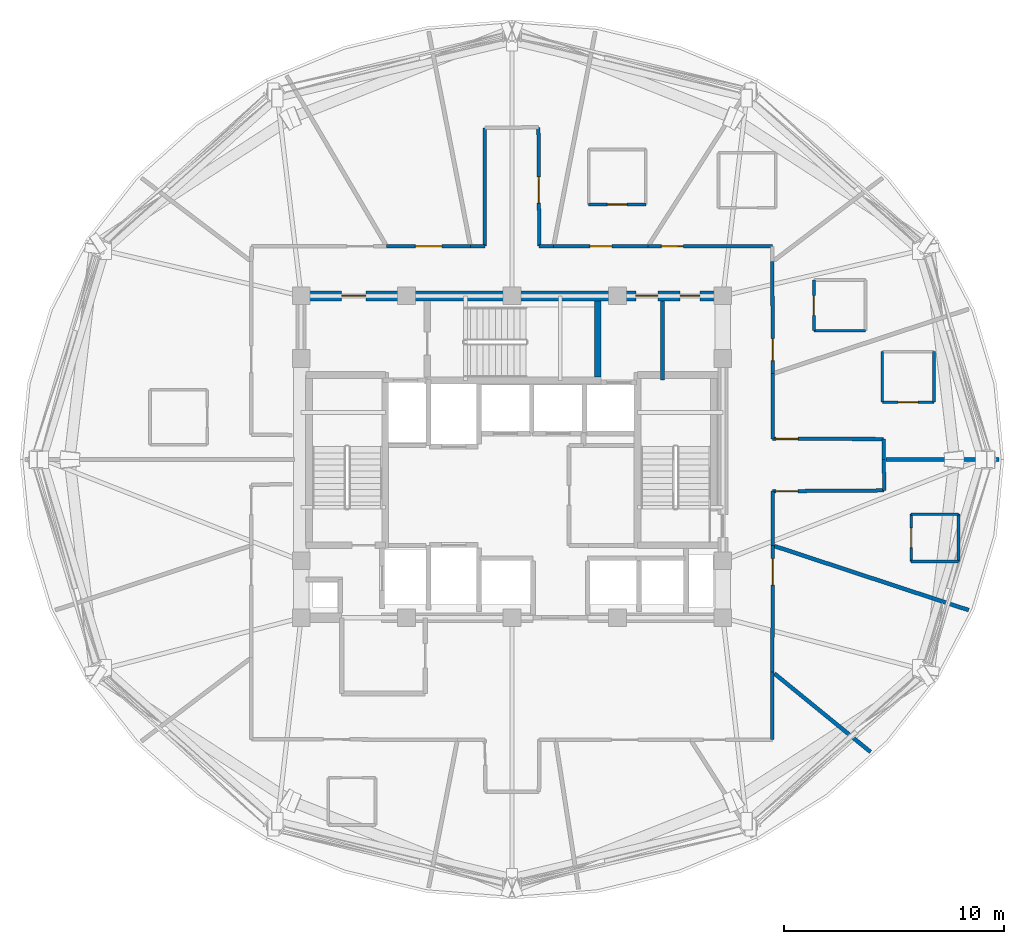
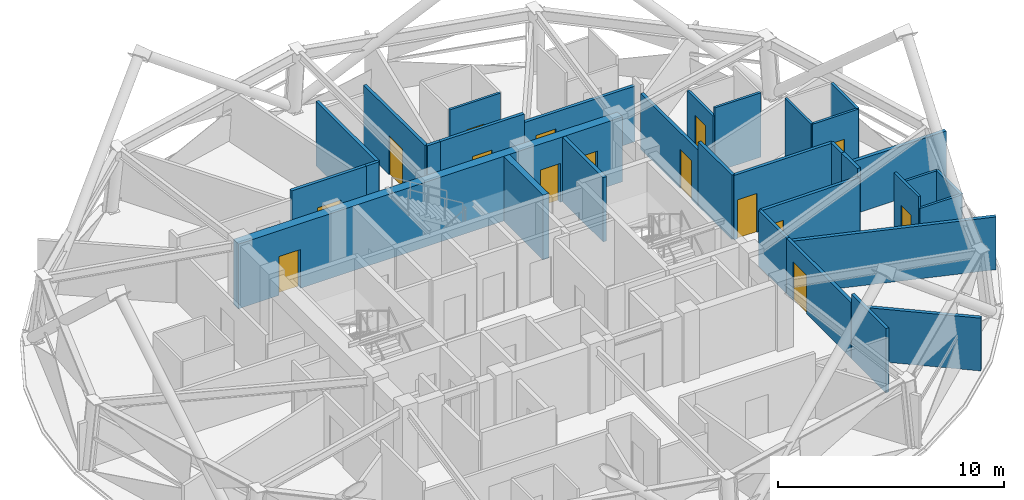
# One storey, part 7 of 12: 32 walls, 15 doors, 15 openings.
"""IFC4 building model written with IfcOpenShell, lengths in metres."""

from ifc_helpers import new_model, si_unit, direction, frame, frame_2d, origin, place, context, subcontext, project, spatial, rectangle, extrude, material, layer, layer_set, type_object, element, fill, save


model = new_model("IFC4")

# Units and contexts
model_context = context("Model", 3, precision=1e-05, world=origin(), true_north=direction((0.0, 1.0)))
body_context = subcontext(model_context, "Body", "Model", "MODEL_VIEW")
ifc_project = project(units=[si_unit("LENGTHUNIT", "METRE"), si_unit("AREAUNIT", "SQUARE_METRE"), si_unit("VOLUMEUNIT", "CUBIC_METRE"), si_unit("PLANEANGLEUNIT", "RADIAN"), si_unit("MASSUNIT", "GRAM", prefix="KILO")], contexts=[model_context])

# Site, building, storey
site_placement = place(None, origin())
site = spatial("IfcSite", under=ifc_project, at=site_placement, CompositionType="ELEMENT")
building_placement = place(site_placement, origin())
building = spatial("IfcBuilding", under=site, at=building_placement, Name="Vantalir Tower", CompositionType="ELEMENT")
storey_placement = place(building_placement, frame((0.0, 0.0, 249.89990234375)))
storey = spatial("IfcBuildingStorey", under=building, at=storey_placement, Name="L63", CompositionType="ELEMENT", Elevation=249.89990234375)

# Wall
ifc_material_1 = material(Name="Moisture-resistant en-suite partition", Category="gypsum")
ifc_layer_1 = layer(ifc_material_1, 0.125)
ifc_layer_set_1 = layer_set([ifc_layer_1], Name="Moisture-resistant en-suite partition")
wall_type_1 = type_object("IfcWallType", Name="WL-BATH-125", PredefinedType="PARTITIONING", material=ifc_layer_set_1)
wall_1_placement = place(storey_placement, frame((45.241943359375, 30.868896484375, 0.0), z_axis=(0.0, 0.0, 1.0), x_axis=(1.0, 0.0, 0.0)))
element("IfcWall", 1, at=wall_1_placement, inside=storey, type_object=wall_type_1, Name="L63 En-suite 01 South Wall", PredefinedType="PARTITIONING", context=body_context, shape_type="SweptSolid", body=[
    extrude(rectangle(XDim=2.35009765625, YDim=0.125, at=frame_2d((1.175048828125, 0.0))), origin(), (0.0, 0.0, 1.0), 3.47998046875),
])

# Wall, opening, door
wall_2_placement = place(storey_placement, frame((45.241943359375, 30.868896484375, 0.0), z_axis=(0.0, 0.0, 1.0), x_axis=(0.0, 1.0, 0.0)))
wall_2 = element("IfcWall", 2, at=wall_2_placement, inside=storey, type_object=wall_type_1, Name="L63 En-suite 01 West Wall", PredefinedType="PARTITIONING", context=body_context, shape_type="SweptSolid", body=[
    extrude(rectangle(XDim=2.300048828125, YDim=0.125, at=frame_2d((1.14990234375, 0.0))), origin(), (0.0, 0.0, 1.0), 3.01220703125),
])
opening_1_placement = place(wall_2_placement, frame((0.699951171875, 0.0, 0.0)))
opening_1 = element("IfcOpeningElement", 3, at=opening_1_placement, cuts=wall_2, Name="Opening D-WC", PredefinedType="OPENING", context=body_context, shape_type="SweptSolid", body=[
    extrude(rectangle(XDim=0.89990234375, YDim=2.10009765625, at=frame_2d((0.449951171875, 1.050048828125))), frame((0.0, 0.072509765625, 0.0), z_axis=(0.0, -1.0, 0.0), x_axis=(1.0, 0.0, 0.0)), (0.0, 0.0, 1.0), 0.14501953125),
])
ifc_material_2 = material(Name="Moisture-resistant hardwood door", Category="wood")
door_type_1 = type_object("IfcDoorType", Name="DR-ENSUITE-900", OperationType="NOTDEFINED", PredefinedType="DOOR", material=ifc_material_2)
door_1_placement = place(opening_1_placement, frame((0.89990234375, 0.0, 0.0), z_axis=(0.0, 0.0, 1.0), x_axis=(-1.0, 0.0, 0.0)))
door_1 = element("IfcDoor", 4, at=door_1_placement, inside=storey, type_object=door_type_1, Name="L63 En-suite 01 Door", OperationType="SINGLE_SWING_LEFT", OverallHeight=2.10009765625, OverallWidth=0.89990234375, PredefinedType="DOOR", context=body_context, shape_type="SweptSolid", body=[
    extrude(rectangle(XDim=0.89990234375, YDim=2.10009765625, at=frame_2d((0.449951171875, 1.050048828125))), frame((0.0, 0.02490234375, 0.0), z_axis=(0.0, -1.0, 0.0), x_axis=(1.0, 0.0, 0.0)), (0.0, 0.0, 1.0), 0.050048828125),
])
fill(opening_1, door_1)

wall_3_placement = place(storey_placement, frame((34.989013671875, 36.610107421875, 0.0), z_axis=(0.0, 0.0, 1.0), x_axis=(1.0, 0.0, 0.0)))
wall_3 = element("IfcWall", 5, at=wall_3_placement, inside=storey, type_object=wall_type_1, Name="L63 En-suite 03 South Wall", PredefinedType="PARTITIONING", context=body_context, shape_type="SweptSolid", body=[
    extrude(rectangle(XDim=2.60009765625, YDim=0.125, at=frame_2d((1.300048828125, 0.0))), origin(), (0.0, 0.0, 1.0), 3.47998046875),
])
opening_2_placement = place(wall_3_placement, frame((0.85009765625, 0.0, 0.0)))
opening_2 = element("IfcOpeningElement", 6, at=opening_2_placement, cuts=wall_3, Name="Opening D-WC", PredefinedType="OPENING", context=body_context, shape_type="SweptSolid", body=[
    extrude(rectangle(XDim=0.89990234375, YDim=2.10009765625, at=frame_2d((0.449951171875, 1.050048828125))), frame((0.0, 0.072509765625, 0.0), z_axis=(0.0, -1.0, 0.0), x_axis=(1.0, 0.0, 0.0)), (0.0, 0.0, 1.0), 0.14501953125),
])
door_2_placement = place(opening_2_placement, origin())
door_2 = element("IfcDoor", 7, at=door_2_placement, inside=storey, type_object=door_type_1, Name="L63 En-suite 03 Door", OperationType="SINGLE_SWING_LEFT", OverallHeight=2.10009765625, OverallWidth=0.89990234375, PredefinedType="DOOR", context=body_context, shape_type="SweptSolid", body=[
    extrude(rectangle(XDim=0.89990234375, YDim=2.10009765625, at=frame_2d((0.449951171875, 1.050048828125))), frame((0.0, 0.02490234375, 0.0), z_axis=(0.0, -1.0, 0.0), x_axis=(1.0, 0.0, 0.0)), (0.0, 0.0, 1.0), 0.050048828125),
])
fill(opening_2, door_2)

# Walls
for number, where, z_axis, x_axis, name in (
    (8, (49.669921875, 20.366943359375, 0.0), (0.0, 0.0, 1.0), (1.0, 0.0, 0.0), "L63 En-suite 15 South Wall"),
    (9, (49.669921875, 22.51708984375, 0.0), (0.0, 0.0, 1.0), (1.0, 0.0, 0.0), "L63 En-suite 15 North Wall"),
):
    element("IfcWall", number, at=place(storey_placement, frame(where, z_axis=z_axis, x_axis=x_axis)), inside=storey, type_object=wall_type_1, Name=name, PredefinedType="PARTITIONING", context=body_context, shape_type="SweptSolid", body=[
        extrude(rectangle(XDim=2.150146484375, YDim=0.125, at=frame_2d((1.0751953125, 0.0))), origin(), (0.0, 0.0, 1.0), 2.85498046875),
    ])

# Wall, opening, door
wall_4_placement = place(storey_placement, frame((49.669921875, 20.366943359375, 0.0), z_axis=(0.0, 0.0, 1.0), x_axis=(0.0, 1.0, 0.0)))
wall_4 = element("IfcWall", 10, at=wall_4_placement, inside=storey, type_object=wall_type_1, Name="L63 En-suite 15 West Wall", PredefinedType="PARTITIONING", context=body_context, shape_type="SweptSolid", body=[
    extrude(rectangle(XDim=2.150146484375, YDim=0.125, at=frame_2d((1.0751953125, 0.0))), origin(), (0.0, 0.0, 1.0), 3.47998046875),
])
opening_3_placement = place(wall_4_placement, frame((0.625, 0.0, 0.0)))
opening_3 = element("IfcOpeningElement", 11, at=opening_3_placement, cuts=wall_4, Name="Opening D-WC", PredefinedType="OPENING", context=body_context, shape_type="SweptSolid", body=[
    extrude(rectangle(XDim=0.89990234375, YDim=2.10009765625, at=frame_2d((0.449951171875, 1.050048828125))), frame((0.0, 0.072509765625, 0.0), z_axis=(0.0, -1.0, 0.0), x_axis=(1.0, 0.0, 0.0)), (0.0, 0.0, 1.0), 0.14501953125),
])
door_3_placement = place(opening_3_placement, frame((0.89990234375, 0.0, 0.0), z_axis=(0.0, 0.0, 1.0), x_axis=(-1.0, 0.0, 0.0)))
door_3 = element("IfcDoor", 12, at=door_3_placement, inside=storey, type_object=door_type_1, Name="L63 En-suite 15 Door", OperationType="SINGLE_SWING_LEFT", OverallHeight=2.10009765625, OverallWidth=0.89990234375, PredefinedType="DOOR", context=body_context, shape_type="SweptSolid", body=[
    extrude(rectangle(XDim=0.89990234375, YDim=2.10009765625, at=frame_2d((0.449951171875, 1.050048828125))), frame((0.0, 0.02490234375, 0.0), z_axis=(0.0, -1.0, 0.0), x_axis=(1.0, 0.0, 0.0)), (0.0, 0.0, 1.0), 0.050048828125),
])
fill(opening_3, door_3)

# Wall
wall_5_placement = place(storey_placement, frame((51.820068359375, 20.366943359375, 0.0), z_axis=(0.0, 0.0, 1.0), x_axis=(0.0, 1.0, 0.0)))
element("IfcWall", 13, at=wall_5_placement, inside=storey, type_object=wall_type_1, Name="L63 En-suite 15 East Wall", PredefinedType="PARTITIONING", context=body_context, shape_type="SweptSolid", body=[
    extrude(rectangle(XDim=2.150146484375, YDim=0.125, at=frame_2d((1.0751953125, 0.0))), origin(), (0.0, 0.0, 1.0), 2.85498046875),
])

# Wall, opening, door
wall_6_placement = place(storey_placement, frame((48.35400390625, 27.613037109375, 0.0), z_axis=(0.0, 0.0, 1.0), x_axis=(1.0, 0.0, 0.0)))
wall_6 = element("IfcWall", 14, at=wall_6_placement, inside=storey, type_object=wall_type_1, Name="L63 En-suite 16 South Wall", PredefinedType="PARTITIONING", context=body_context, shape_type="SweptSolid", body=[
    extrude(rectangle(XDim=2.35009765625, YDim=0.125, at=frame_2d((1.175048828125, 0.0))), origin(), (0.0, 0.0, 1.0), 3.47998046875),
])
opening_4_placement = place(wall_6_placement, frame((0.72509765625, 0.0, 0.0)))
opening_4 = element("IfcOpeningElement", 15, at=opening_4_placement, cuts=wall_6, Name="Opening D-WC", PredefinedType="OPENING", context=body_context, shape_type="SweptSolid", body=[
    extrude(rectangle(XDim=0.89990234375, YDim=2.10009765625, at=frame_2d((0.449951171875, 1.050048828125))), frame((0.0, 0.072509765625, 0.0), z_axis=(0.0, -1.0, 0.0), x_axis=(1.0, 0.0, 0.0)), (0.0, 0.0, 1.0), 0.14501953125),
])
door_4_placement = place(opening_4_placement, origin())
door_4 = element("IfcDoor", 16, at=door_4_placement, inside=storey, type_object=door_type_1, Name="L63 En-suite 16 Door", OperationType="SINGLE_SWING_RIGHT", OverallHeight=2.10009765625, OverallWidth=0.89990234375, PredefinedType="DOOR", context=body_context, shape_type="SweptSolid", body=[
    extrude(rectangle(XDim=0.89990234375, YDim=2.10009765625, at=frame_2d((0.449951171875, 1.050048828125))), frame((0.0, 0.02490234375, 0.0), z_axis=(0.0, -1.0, 0.0), x_axis=(1.0, 0.0, 0.0)), (0.0, 0.0, 1.0), 0.050048828125),
])
fill(opening_4, door_4)

# Walls
for number, where, z_axis, x_axis, name in (
    (17, (48.35400390625, 27.613037109375, 0.0), (0.0, 0.0, 1.0), (0.0, 1.0, 0.0), "L63 En-suite 16 West Wall"),
    (18, (50.7041015625, 27.613037109375, 0.0), (0.0, 0.0, 1.0), (0.0, 1.0, 0.0), "L63 En-suite 16 East Wall"),
):
    element("IfcWall", number, at=place(storey_placement, frame(where, z_axis=z_axis, x_axis=x_axis)), inside=storey, type_object=wall_type_1, Name=name, PredefinedType="PARTITIONING", context=body_context, shape_type="SweptSolid", body=[
        extrude(rectangle(XDim=2.300048828125, YDim=0.125, at=frame_2d((1.14990234375, 0.0))), origin(), (0.0, 0.0, 1.0), 3.47998046875),
    ])

# Wall, openings, doors
ifc_material_3 = material(Name="Concrete C50/60", Category="concrete")
ifc_layer_2 = layer(ifc_material_3, 0.449951171875)
ifc_layer_set_2 = layer_set([ifc_layer_2], Name="Concrete C50/60")
wall_type_2 = type_object("IfcWallType", Name="WL-CORE-450", PredefinedType="SHEAR", material=ifc_layer_set_2)
wall_7_placement = place(storey_placement, frame((21.675048828125, 32.449951171875, 0.0), z_axis=(0.0, 0.0, 1.0), x_axis=(1.0, 0.0, 0.0)))
wall_7 = element("IfcWall", 19, at=wall_7_placement, inside=storey, type_object=wall_type_2, Name="L63 Core Shear Wall North", PredefinedType="SHEAR", context=body_context, shape_type="SweptSolid", body=[
    extrude(rectangle(XDim=19.64990234375, YDim=0.449951171875, at=frame_2d((9.824951171875, 0.0))), origin(), (0.0, 0.0, 1.0), 3.5),
])
opening_5_placement = place(wall_7_placement, frame((2.074951171875, 0.0, 0.0)))
opening_5 = element("IfcOpeningElement", 20, at=opening_5_placement, cuts=wall_7, Name="Opening D-FFL", PredefinedType="OPENING", context=body_context, shape_type="SweptSolid", body=[
    extrude(rectangle(XDim=1.10009765625, YDim=2.10009765625, at=frame_2d((0.550048828125, 1.050048828125))), frame((0.0, 0.23486328125, 0.0), z_axis=(0.0, -1.0, 0.0), x_axis=(1.0, 0.0, 0.0)), (0.0, 0.0, 1.0), 0.469970703125),
])
opening_6_placement = place(wall_7_placement, frame((15.465087890625, 0.0, 0.0)))
opening_6 = element("IfcOpeningElement", 21, at=opening_6_placement, cuts=wall_7, Name="Opening D-GUEST", PredefinedType="OPENING", context=body_context, shape_type="SweptSolid", body=[
    extrude(rectangle(XDim=1.0, YDim=2.10009765625, at=frame_2d((0.5, 1.050048828125))), frame((0.0, 0.23486328125, 0.0), z_axis=(0.0, -1.0, 0.0), x_axis=(1.0, 0.0, 0.0)), (0.0, 0.0, 1.0), 0.469970703125),
])
opening_7_placement = place(wall_7_placement, frame((17.47509765625, 0.0, 0.0)))
opening_7 = element("IfcOpeningElement", 22, at=opening_7_placement, cuts=wall_7, Name="Opening D-CR", PredefinedType="OPENING", context=body_context, shape_type="SweptSolid", body=[
    extrude(rectangle(XDim=0.89990234375, YDim=2.10009765625, at=frame_2d((0.449951171875, 1.050048828125))), frame((0.0, 0.23486328125, 0.0), z_axis=(0.0, -1.0, 0.0), x_axis=(1.0, 0.0, 0.0)), (0.0, 0.0, 1.0), 0.469970703125),
])
ifc_material_4 = material(Name="Fire-rated steel core service door", Category="steel")
door_type_2 = type_object("IfcDoorType", Name="DR-CORE-SERV-900", OperationType="NOTDEFINED", PredefinedType="DOOR", material=ifc_material_4)
door_5_placement = place(opening_7_placement, frame((0.89990234375, 0.0, 0.0), z_axis=(0.0, 0.0, 1.0), x_axis=(-1.0, 0.0, 0.0)))
door_5 = element("IfcDoor", 23, at=door_5_placement, inside=storey, type_object=door_type_2, Name="L63 Housekeeping and Linen Room Door", OperationType="SINGLE_SWING_RIGHT", OverallHeight=2.10009765625, OverallWidth=0.89990234375, PredefinedType="DOOR", context=body_context, shape_type="SweptSolid", body=[
    extrude(rectangle(XDim=0.89990234375, YDim=2.10009765625, at=frame_2d((0.449951171875, 1.050048828125))), frame((0.0, 0.02490234375, 0.0), z_axis=(0.0, -1.0, 0.0), x_axis=(1.0, 0.0, 0.0)), (0.0, 0.0, 1.0), 0.050048828125),
])
fill(opening_7, door_5)
ifc_material_5 = material(Name="Fire-rated acoustic steel door", Category="steel")
door_type_3 = type_object("IfcDoorType", Name="DR-FIRE-LOBBY-1100", OperationType="NOTDEFINED", PredefinedType="DOOR", material=ifc_material_5)
door_6_placement = place(opening_5_placement, frame((1.10009765625, 0.0, 0.0), z_axis=(0.0, 0.0, 1.0), x_axis=(-1.0, 0.0, 0.0)))
door_6 = element("IfcDoor", 24, at=door_6_placement, inside=storey, type_object=door_type_3, Name="L63 Firefighting Lobby East Access Door", OperationType="SINGLE_SWING_LEFT", OverallHeight=2.10009765625, OverallWidth=1.10009765625, PredefinedType="DOOR", context=body_context, shape_type="SweptSolid", body=[
    extrude(rectangle(XDim=1.10009765625, YDim=2.10009765625, at=frame_2d((0.550048828125, 1.050048828125))), frame((0.0, 0.02490234375, 0.0), z_axis=(0.0, -1.0, 0.0), x_axis=(1.0, 0.0, 0.0)), (0.0, 0.0, 1.0), 0.050048828125),
])
fill(opening_5, door_6)
ifc_material_6 = material(Name="Solid-core teak veneer acoustic fire door", Category="wood")
door_type_4 = type_object("IfcDoorType", Name="DR-GUEST-ENTRY-1000", OperationType="NOTDEFINED", PredefinedType="DOOR", material=ifc_material_6)
door_7_placement = place(opening_6_placement, frame((1.0, 0.0, 0.0), z_axis=(0.0, 0.0, 1.0), x_axis=(-1.0, 0.0, 0.0)))
door_7 = element("IfcDoor", 25, at=door_7_placement, inside=storey, type_object=door_type_4, Name="L63 High-Rise Lift Lobby Door", OperationType="SINGLE_SWING_LEFT", OverallHeight=2.10009765625, OverallWidth=1.0, PredefinedType="DOOR", context=body_context, shape_type="SweptSolid", body=[
    extrude(rectangle(XDim=1.0, YDim=2.10009765625, at=frame_2d((0.5, 1.050048828125))), frame((0.0, 0.02490234375, 0.0), z_axis=(0.0, -1.0, 0.0), x_axis=(1.0, 0.0, 0.0)), (0.0, 0.0, 1.0), 0.050048828125),
])
fill(opening_6, door_7)

# Wall, opening, door
ifc_material_7 = material(Name="Fire-rated hotel corridor acoustic partition", Category="gypsum")
ifc_layer_3 = layer(ifc_material_7, 0.159912109375)
ifc_layer_set_3 = layer_set([ifc_layer_3], Name="Fire-rated hotel corridor acoustic partition")
wall_type_3 = type_object("IfcWallType", Name="WL-CORR-160", PredefinedType="PARTITIONING", material=ifc_layer_set_3)
wall_8_placement = place(storey_placement, frame((25.799072265625, 34.708984375, 0.0), z_axis=(0.0, 0.0, 1.0), x_axis=(0.999999094052, 0.00134606634, 0.0)))
wall_8 = element("IfcWall", 26, at=wall_8_placement, inside=storey, type_object=wall_type_3, Name="L63 Corridor Partition 05", PredefinedType="PARTITIONING", context=body_context, shape_type="SweptSolid", body=[
    extrude(rectangle(XDim=3.808837890625, YDim=0.159912109375, at=frame_2d((1.904296875, 0.0))), origin(), (0.0, 0.0, 1.0), 3.47998046875),
])
opening_8_placement = place(wall_8_placement, frame((1.304931640625, 0.0, 0.0)))
opening_8 = element("IfcOpeningElement", 27, at=opening_8_placement, cuts=wall_8, Name="Opening D-STE", PredefinedType="OPENING", context=body_context, shape_type="SweptSolid", body=[
    extrude(rectangle(XDim=1.199951171875, YDim=2.10009765625, at=frame_2d((0.60009765625, 1.050048828125))), frame((0.0, 0.08984375, 0.0), z_axis=(0.0, -1.0, 0.0), x_axis=(1.0, 0.0, 0.0)), (0.0, 0.0, 1.0), 0.179931640625),
])
ifc_material_8 = material(Name="Solid-core teak veneer suite entrance door", Category="wood")
door_type_5 = type_object("IfcDoorType", Name="DR-SUITE-ENTRY-1200", OperationType="NOTDEFINED", PredefinedType="DOOR", material=ifc_material_8)
door_8_placement = place(opening_8_placement, origin())
door_8 = element("IfcDoor", 28, at=door_8_placement, inside=storey, type_object=door_type_5, Name="L63 Club Reading Lounge 05 Door", OperationType="SINGLE_SWING_LEFT", OverallHeight=2.10009765625, OverallWidth=1.199951171875, PredefinedType="DOOR", context=body_context, shape_type="SweptSolid", body=[
    extrude(rectangle(XDim=1.199951171875, YDim=2.10009765625, at=frame_2d((0.60009765625, 1.050048828125))), frame((0.0, 0.02490234375, 0.0), z_axis=(0.0, -1.0, 0.0), x_axis=(1.0, 0.0, 0.0)), (0.0, 0.0, 1.0), 0.050048828125),
])
fill(opening_8, door_8)

# Walls
wall_9_placement = place(storey_placement, frame((29.60791015625, 34.714111328125, 0.0), z_axis=(0.0, 0.0, 1.0), x_axis=(0.999998878649, 0.001497564775, 0.0)))
element("IfcWall", 29, at=wall_9_placement, inside=storey, type_object=wall_type_3, Name="L63 Corridor Partition 06", PredefinedType="PARTITIONING", context=body_context, shape_type="SweptSolid", body=[
    extrude(rectangle(XDim=0.652099609375, YDim=0.159912109375, at=frame_2d((0.326171875, 0.0))), origin(), (0.0, 0.0, 1.0), 3.47998046875),
])
wall_10_placement = place(storey_placement, frame((30.260009765625, 34.715087890625, 0.0), z_axis=(0.0, 0.0, 1.0), x_axis=(0.000544266973, 0.999999851887, 0.0)))
element("IfcWall", 30, at=wall_10_placement, inside=storey, type_object=wall_type_3, Name="L63 Corridor Partition 07", PredefinedType="PARTITIONING", context=body_context, shape_type="SweptSolid", body=[
    extrude(rectangle(XDim=5.3828125, YDim=0.159912109375, at=frame_2d((2.69140625, 0.0))), origin(), (0.0, 0.0, 1.0), 3.47998046875),
])

# Wall, opening, door
wall_11_placement = place(storey_placement, frame((32.7041015625, 40.123046875, 0.0), z_axis=(0.0, 0.0, 1.0), x_axis=(0.006636123117, -0.999977980693, 0.0)))
wall_11 = element("IfcWall", 31, at=wall_11_placement, inside=storey, type_object=wall_type_3, Name="L63 Corridor Partition 09", PredefinedType="PARTITIONING", context=body_context, shape_type="SweptSolid", body=[
    extrude(rectangle(XDim=5.407958984375, YDim=0.159912109375, at=frame_2d((2.7041015625, 0.0))), origin(), (0.0, 0.0, 1.0), 3.47998046875),
])
opening_9_placement = place(wall_11_placement, frame((2.25390625, 0.0, 0.0)))
opening_9 = element("IfcOpeningElement", 32, at=opening_9_placement, cuts=wall_11, Name="Opening D-STE", PredefinedType="OPENING", context=body_context, shape_type="SweptSolid", body=[
    extrude(rectangle(XDim=1.199951171875, YDim=2.10009765625, at=frame_2d((0.60009765625, 1.050048828125))), frame((0.0, 0.08984375, 0.0), z_axis=(0.0, -1.0, 0.0), x_axis=(1.0, 0.0, 0.0)), (0.0, 0.0, 1.0), 0.179931640625),
])
door_9_placement = place(opening_9_placement, origin())
door_9 = element("IfcDoor", 33, at=door_9_placement, inside=storey, type_object=door_type_5, Name="L63 Club Reading Lounge 04 Door", OperationType="SINGLE_SWING_RIGHT", OverallHeight=2.10009765625, OverallWidth=1.199951171875, PredefinedType="DOOR", context=body_context, shape_type="SweptSolid", body=[
    extrude(rectangle(XDim=1.199951171875, YDim=2.10009765625, at=frame_2d((0.60009765625, 1.050048828125))), frame((0.0, 0.02490234375, 0.0), z_axis=(0.0, -1.0, 0.0), x_axis=(1.0, 0.0, 0.0)), (0.0, 0.0, 1.0), 0.050048828125),
])
fill(opening_9, door_9)

# Wall
wall_12_placement = place(storey_placement, frame((32.739990234375, 34.715087890625, 0.0), z_axis=(0.0, 0.0, 1.0), x_axis=(0.999998878649, -0.001497564775, 0.0)))
element("IfcWall", 34, at=wall_12_placement, inside=storey, type_object=wall_type_3, Name="L63 Corridor Partition 10", PredefinedType="PARTITIONING", context=body_context, shape_type="SweptSolid", body=[
    extrude(rectangle(XDim=0.652099609375, YDim=0.159912109375, at=frame_2d((0.326171875, 0.0))), origin(), (0.0, 0.0, 1.0), 3.47998046875),
])

# Wall, opening, door
wall_13_placement = place(storey_placement, frame((33.39208984375, 34.714111328125, 0.0), z_axis=(0.0, 0.0, 1.0), x_axis=(0.999999533722, -0.000965689166, 0.0)))
wall_13 = element("IfcWall", 35, at=wall_13_placement, inside=storey, type_object=wall_type_3, Name="L63 Corridor Partition 11", PredefinedType="PARTITIONING", context=body_context, shape_type="SweptSolid", body=[
    extrude(rectangle(XDim=4.2978515625, YDim=0.159912109375, at=frame_2d((2.14892578125, 0.0))), origin(), (0.0, 0.0, 1.0), 3.47998046875),
])
opening_10_placement = place(wall_13_placement, frame((1.64892578125, 0.0, 0.0)))
opening_10 = element("IfcOpeningElement", 36, at=opening_10_placement, cuts=wall_13, Name="Opening D-GUEST", PredefinedType="OPENING", context=body_context, shape_type="SweptSolid", body=[
    extrude(rectangle(XDim=1.0, YDim=2.10009765625, at=frame_2d((0.5, 1.050048828125))), frame((0.0, 0.08984375, 0.0), z_axis=(0.0, -1.0, 0.0), x_axis=(1.0, 0.0, 0.0)), (0.0, 0.0, 1.0), 0.179931640625),
])
door_10_placement = place(opening_10_placement, origin())
door_10 = element("IfcDoor", 37, at=door_10_placement, inside=storey, type_object=door_type_4, Name="L63 Deluxe King Hotel Room 03 Door", OperationType="SINGLE_SWING_LEFT", OverallHeight=2.10009765625, OverallWidth=1.0, PredefinedType="DOOR", context=body_context, shape_type="SweptSolid", body=[
    extrude(rectangle(XDim=1.0, YDim=2.10009765625, at=frame_2d((0.5, 1.050048828125))), frame((0.0, 0.02490234375, 0.0), z_axis=(0.0, -1.0, 0.0), x_axis=(1.0, 0.0, 0.0)), (0.0, 0.0, 1.0), 0.050048828125),
])
fill(opening_10, door_10)

wall_14_placement = place(storey_placement, frame((37.68994140625, 34.7099609375, 0.0), z_axis=(0.0, 0.0, 1.0), x_axis=(0.999999218481, -0.001250214577, 0.0)))
wall_14 = element("IfcWall", 38, at=wall_14_placement, inside=storey, type_object=wall_type_3, Name="L63 Corridor Partition 12", PredefinedType="PARTITIONING", context=body_context, shape_type="SweptSolid", body=[
    extrude(rectangle(XDim=5.6630859375, YDim=0.159912109375, at=frame_2d((2.83154296875, 0.0))), origin(), (0.0, 0.0, 1.0), 3.01220703125),
])
opening_11_placement = place(wall_14_placement, frame((0.60888671875, 0.0, 0.0)))
opening_11 = element("IfcOpeningElement", 39, at=opening_11_placement, cuts=wall_14, Name="Opening D-GUEST", PredefinedType="OPENING", context=body_context, shape_type="SweptSolid", body=[
    extrude(rectangle(XDim=1.0, YDim=2.10009765625, at=frame_2d((0.5, 1.050048828125))), frame((0.0, 0.08984375, 0.0), z_axis=(0.0, -1.0, 0.0), x_axis=(1.0, 0.0, 0.0)), (0.0, 0.0, 1.0), 0.179931640625),
])
door_11_placement = place(opening_11_placement, origin())
door_11 = element("IfcDoor", 40, at=door_11_placement, inside=storey, type_object=door_type_4, Name="L63 Deluxe King Hotel Room 02 Door", OperationType="SINGLE_SWING_RIGHT", OverallHeight=2.10009765625, OverallWidth=1.0, PredefinedType="DOOR", context=body_context, shape_type="SweptSolid", body=[
    extrude(rectangle(XDim=1.0, YDim=2.10009765625, at=frame_2d((0.5, 1.050048828125))), frame((0.0, 0.02490234375, 0.0), z_axis=(0.0, -1.0, 0.0), x_axis=(1.0, 0.0, 0.0)), (0.0, 0.0, 1.0), 0.050048828125),
])
fill(opening_11, door_11)

wall_15_placement = place(storey_placement, frame((43.35400390625, 34.008056640625, 0.0), z_axis=(0.0, 0.0, 1.0), x_axis=(0.001388488559, -0.999999036049, 0.0)))
wall_15 = element("IfcWall", 41, at=wall_15_placement, inside=storey, type_object=wall_type_3, Name="L63 Corridor Partition 14", PredefinedType="PARTITIONING", context=body_context, shape_type="SweptSolid", body=[
    extrude(rectangle(XDim=5.09912109375, YDim=0.159912109375, at=frame_2d((2.549560546875, 0.0))), origin(), (0.0, 0.0, 1.0), 3.01220703125),
])
opening_12_placement = place(wall_15_placement, frame((3.5029296875, 0.0, 0.0)))
opening_12 = element("IfcOpeningElement", 42, at=opening_12_placement, cuts=wall_15, Name="Opening D-GUEST", PredefinedType="OPENING", context=body_context, shape_type="SweptSolid", body=[
    extrude(rectangle(XDim=1.0, YDim=2.10009765625, at=frame_2d((0.5, 1.050048828125))), frame((0.0, 0.08984375, 0.0), z_axis=(0.0, -1.0, 0.0), x_axis=(1.0, 0.0, 0.0)), (0.0, 0.0, 1.0), 0.179931640625),
])
door_12_placement = place(opening_12_placement, origin())
door_12 = element("IfcDoor", 43, at=door_12_placement, inside=storey, type_object=door_type_4, Name="L63 Twin Queen Hotel Room 01 Door", OperationType="SINGLE_SWING_LEFT", OverallHeight=2.10009765625, OverallWidth=1.0, PredefinedType="DOOR", context=body_context, shape_type="SweptSolid", body=[
    extrude(rectangle(XDim=1.0, YDim=2.10009765625, at=frame_2d((0.5, 1.050048828125))), frame((0.0, 0.02490234375, 0.0), z_axis=(0.0, -1.0, 0.0), x_axis=(1.0, 0.0, 0.0)), (0.0, 0.0, 1.0), 0.050048828125),
])
fill(opening_12, door_12)

# Wall
wall_16_placement = place(storey_placement, frame((43.361083984375, 28.908935546875, 0.0), z_axis=(0.0, 0.0, 1.0), x_axis=(0.001315680137, -0.999999134493, 0.0)))
element("IfcWall", 44, at=wall_16_placement, inside=storey, type_object=wall_type_3, Name="L63 Corridor Partition 15", PredefinedType="PARTITIONING", context=body_context, shape_type="SweptSolid", body=[
    extrude(rectangle(XDim=2.968994140625, YDim=0.159912109375, at=frame_2d((1.484375, 0.0))), origin(), (0.0, 0.0, 1.0), 3.47998046875),
])

# Wall, opening, door
wall_17_placement = place(storey_placement, frame((43.364990234375, 25.93994140625, 0.0), z_axis=(0.0, 0.0, 1.0), x_axis=(0.999999831724, -0.000580130432, 0.0)))
wall_17 = element("IfcWall", 45, at=wall_17_placement, inside=storey, type_object=wall_type_3, Name="L63 Corridor Partition 16", PredefinedType="PARTITIONING", context=body_context, shape_type="SweptSolid", body=[
    extrude(rectangle(XDim=5.050048828125, YDim=0.159912109375, at=frame_2d((2.52490234375, 0.0))), origin(), (0.0, 0.0, 1.0), 3.47998046875),
])
opening_13_placement = place(wall_17_placement, frame((0.159912109375, 0.0, 0.0)))
opening_13 = element("IfcOpeningElement", 46, at=opening_13_placement, cuts=wall_17, Name="Opening D-GUEST", PredefinedType="OPENING", context=body_context, shape_type="SweptSolid", body=[
    extrude(rectangle(XDim=1.0, YDim=2.10009765625, at=frame_2d((0.5, 1.050048828125))), frame((0.0, 0.08984375, 0.0), z_axis=(0.0, -1.0, 0.0), x_axis=(1.0, 0.0, 0.0)), (0.0, 0.0, 1.0), 0.179931640625),
])
door_13_placement = place(opening_13_placement, origin())
door_13 = element("IfcDoor", 47, at=door_13_placement, inside=storey, type_object=door_type_4, Name="L63 Deluxe King Hotel Room 16 Door", OperationType="SINGLE_SWING_RIGHT", OverallHeight=2.10009765625, OverallWidth=1.0, PredefinedType="DOOR", context=body_context, shape_type="SweptSolid", body=[
    extrude(rectangle(XDim=1.0, YDim=2.10009765625, at=frame_2d((0.5, 1.050048828125))), frame((0.0, 0.02490234375, 0.0), z_axis=(0.0, -1.0, 0.0), x_axis=(1.0, 0.0, 0.0)), (0.0, 0.0, 1.0), 0.050048828125),
])
fill(opening_13, door_13)

# Walls
wall_18_placement = place(storey_placement, frame((48.4150390625, 25.93701171875, 0.0), z_axis=(0.0, 0.0, 1.0), x_axis=(0.010682037718, -0.999942945407, 0.0)))
element("IfcWall", 48, at=wall_18_placement, inside=storey, type_object=wall_type_3, Name="L63 Corridor Partition 17", PredefinedType="PARTITIONING", context=body_context, shape_type="SweptSolid", body=[
    extrude(rectangle(XDim=0.93701171875, YDim=0.159912109375, at=frame_2d((0.468505859375, 0.0))), origin(), (0.0, 0.0, 1.0), 3.47998046875),
])
wall_19_placement = place(storey_placement, frame((48.425048828125, 25.0, 0.0), z_axis=(0.0, 0.0, 1.0), x_axis=(0.010606254369, -0.999943752102, 0.0)))
element("IfcWall", 49, at=wall_19_placement, inside=storey, type_object=wall_type_3, Name="L63 Corridor Partition 18", PredefinedType="PARTITIONING", context=body_context, shape_type="SweptSolid", body=[
    extrude(rectangle(XDim=1.404052734375, YDim=0.159912109375, at=frame_2d((0.7021484375, 0.0))), origin(), (0.0, 0.0, 1.0), 3.47998046875),
])

# Wall, opening, door
wall_20_placement = place(storey_placement, frame((48.43994140625, 23.595947265625, 0.0), z_axis=(0.0, 0.0, 1.0), x_axis=(-0.999974996273, -0.007071550702, 0.0)))
wall_20 = element("IfcWall", 50, at=wall_20_placement, inside=storey, type_object=wall_type_3, Name="L63 Corridor Partition 19", PredefinedType="PARTITIONING", context=body_context, shape_type="SweptSolid", body=[
    extrude(rectangle(XDim=5.0751953125, YDim=0.159912109375, at=frame_2d((2.53759765625, 0.0))), origin(), (0.0, 0.0, 1.0), 3.01220703125),
])
opening_14_placement = place(wall_20_placement, frame((3.9150390625, 0.0, 0.0)))
opening_14 = element("IfcOpeningElement", 51, at=opening_14_placement, cuts=wall_20, Name="Opening D-GUEST", PredefinedType="OPENING", context=body_context, shape_type="SweptSolid", body=[
    extrude(rectangle(XDim=1.0, YDim=2.10009765625, at=frame_2d((0.5, 1.050048828125))), frame((0.0, 0.08984375, 0.0), z_axis=(0.0, -1.0, 0.0), x_axis=(1.0, 0.0, 0.0)), (0.0, 0.0, 1.0), 0.179931640625),
])
door_14_placement = place(opening_14_placement, origin())
door_14 = element("IfcDoor", 52, at=door_14_placement, inside=storey, type_object=door_type_4, Name="L63 Twin Queen Hotel Room 15 Door", OperationType="SINGLE_SWING_LEFT", OverallHeight=2.10009765625, OverallWidth=1.0, PredefinedType="DOOR", context=body_context, shape_type="SweptSolid", body=[
    extrude(rectangle(XDim=1.0, YDim=2.10009765625, at=frame_2d((0.5, 1.050048828125))), frame((0.0, 0.02490234375, 0.0), z_axis=(0.0, -1.0, 0.0), x_axis=(1.0, 0.0, 0.0)), (0.0, 0.0, 1.0), 0.050048828125),
])
fill(opening_14, door_14)

# Wall
wall_21_placement = place(storey_placement, frame((43.364990234375, 23.56005859375, 0.0), z_axis=(0.0, 0.0, 1.0), x_axis=(-0.001186121534, -0.999999296558, 0.0)))
element("IfcWall", 53, at=wall_21_placement, inside=storey, type_object=wall_type_3, Name="L63 Corridor Partition 20", PredefinedType="PARTITIONING", context=body_context, shape_type="SweptSolid", body=[
    extrude(rectangle(XDim=2.469970703125, YDim=0.159912109375, at=frame_2d((1.23486328125, 0.0))), origin(), (0.0, 0.0, 1.0), 3.01220703125),
])

# Wall, opening, door
wall_22_placement = place(storey_placement, frame((43.362060546875, 21.090087890625, 0.0), z_axis=(0.0, 0.0, 1.0), x_axis=(-0.001399667798, -0.999999020465, 0.0)))
wall_22 = element("IfcWall", 54, at=wall_22_placement, inside=storey, type_object=wall_type_3, Name="L63 Corridor Partition 21", PredefinedType="PARTITIONING", context=body_context, shape_type="SweptSolid", body=[
    extrude(rectangle(XDim=5.756103515625, YDim=0.159912109375, at=frame_2d((2.8779296875, 0.0))), origin(), (0.0, 0.0, 1.0), 3.01220703125),
])
opening_15_placement = place(wall_22_placement, frame((0.597900390625, 0.0, 0.0)))
opening_15 = element("IfcOpeningElement", 55, at=opening_15_placement, cuts=wall_22, Name="Opening D-STE", PredefinedType="OPENING", context=body_context, shape_type="SweptSolid", body=[
    extrude(rectangle(XDim=1.199951171875, YDim=2.10009765625, at=frame_2d((0.60009765625, 1.050048828125))), frame((0.0, 0.08984375, 0.0), z_axis=(0.0, -1.0, 0.0), x_axis=(1.0, 0.0, 0.0)), (0.0, 0.0, 1.0), 0.179931640625),
])
door_15_placement = place(opening_15_placement, origin())
door_15 = element("IfcDoor", 56, at=door_15_placement, inside=storey, type_object=door_type_5, Name="L63 Executive Sky Boardroom 14 Door", OperationType="SINGLE_SWING_RIGHT", OverallHeight=2.10009765625, OverallWidth=1.199951171875, PredefinedType="DOOR", context=body_context, shape_type="SweptSolid", body=[
    extrude(rectangle(XDim=1.199951171875, YDim=2.10009765625, at=frame_2d((0.60009765625, 1.050048828125))), frame((0.0, 0.02490234375, 0.0), z_axis=(0.0, -1.0, 0.0), x_axis=(1.0, 0.0, 0.0)), (0.0, 0.0, 1.0), 0.050048828125),
])
fill(opening_15, door_15)

# Walls
wall_23_placement = place(storey_placement, frame((43.35400390625, 15.333984375, 0.0), z_axis=(0.0, 0.0, 1.0), x_axis=(-0.00127034435, -0.999999193112, 0.0)))
element("IfcWall", 57, at=wall_23_placement, inside=storey, type_object=wall_type_3, Name="L63 Corridor Partition 22", PredefinedType="PARTITIONING", context=body_context, shape_type="SweptSolid", body=[
    extrude(rectangle(XDim=3.074951171875, YDim=0.159912109375, at=frame_2d((1.53759765625, 0.0))), origin(), (0.0, 0.0, 1.0), 3.47998046875),
])
ifc_material_9 = material(Name="Twin-stud acoustic fire-rated gypsum partition", Category="gypsum")
ifc_layer_4 = layer(ifc_material_9, 0.179931640625)
ifc_layer_set_4 = layer_set([ifc_layer_4], Name="Twin-stud acoustic fire-rated gypsum partition")
wall_type_4 = type_object("IfcWallType", Name="WL-GUEST-180", PredefinedType="PARTITIONING", material=ifc_layer_set_4)
wall_24_placement = place(storey_placement, frame((38.340087890625, 28.6201171875, 0.0), z_axis=(0.0, 0.0, 1.0), x_axis=(0.0, 1.0, 0.0)))
element("IfcWall", 58, at=wall_24_placement, inside=storey, type_object=wall_type_4, Name="L63 High-Rise Lift Lobby East Wall", PredefinedType="PARTITIONING", context=body_context, shape_type="SweptSolid", body=[
    extrude(rectangle(XDim=3.60498046875, YDim=0.179931640625, at=frame_2d((1.802490234375, 0.0))), origin(), (0.0, 0.0, 1.0), 3.47998046875),
])
wall_25_placement = place(storey_placement, frame((43.43994140625, 15.263916015625, 0.0), z_axis=(0.0, 0.0, 1.0), x_axis=(0.77500924649, -0.631949893469, 0.0)))
element("IfcWall", 59, at=wall_25_placement, inside=storey, type_object=wall_type_4, Name="L63 Radial Suite Partition 14", PredefinedType="PARTITIONING", context=body_context, shape_type="SweptSolid", body=[
    extrude(rectangle(XDim=5.650390625, YDim=0.179931640625, at=frame_2d((2.8251953125, 0.0))), origin(), (0.0, 0.0, 1.0), 2.85498046875),
])
wall_26_placement = place(storey_placement, frame((43.43994140625, 21.06494140625, 0.0), z_axis=(0.0, 0.0, 1.0), x_axis=(0.949729147415, -0.313072749613, 0.0)))
element("IfcWall", 60, at=wall_26_placement, inside=storey, type_object=wall_type_4, Name="L63 Radial Suite Partition 15", PredefinedType="PARTITIONING", context=body_context, shape_type="SweptSolid", body=[
    extrude(rectangle(XDim=9.314208984375, YDim=0.179931640625, at=frame_2d((4.6572265625, 0.0))), origin(), (0.0, 0.0, 1.0), 2.85498046875),
])
wall_27_placement = place(storey_placement, frame((48.514892578125, 25.0, 0.0), z_axis=(0.0, 0.0, 1.0), x_axis=(1.0, 0.0, 0.0)))
element("IfcWall", 61, at=wall_27_placement, inside=storey, type_object=wall_type_4, Name="L63 Radial Suite Partition 16", PredefinedType="PARTITIONING", context=body_context, shape_type="SweptSolid", body=[
    extrude(rectangle(XDim=5.152099609375, YDim=0.179931640625, at=frame_2d((2.576171875, 0.0))), origin(), (0.0, 0.0, 1.0), 2.85498046875),
])
ifc_layer_5 = layer(ifc_material_3, 0.300048828125)
ifc_layer_set_5 = layer_set([ifc_layer_5], Name="Concrete C50/60")
wall_type_5 = type_object("IfcWallType", Name="WL-STAIR-300", PredefinedType="SHEAR", material=ifc_layer_set_5)
wall_28_placement = place(storey_placement, frame((35.39990234375, 28.75, 0.0), z_axis=(0.0, 0.0, 1.0), x_axis=(0.0, 1.0, 0.0)))
element("IfcWall", 62, at=wall_28_placement, inside=storey, type_object=wall_type_5, Name="L63 Stair ST3 East Wall", PredefinedType="SHEAR", context=body_context, shape_type="SweptSolid", body=[
    extrude(rectangle(XDim=3.47509765625, YDim=0.300048828125, at=frame_2d((1.737548828125, 0.0))), origin(), (0.0, 0.0, 1.0), 3.5),
])

save(model, "model.ifc")
